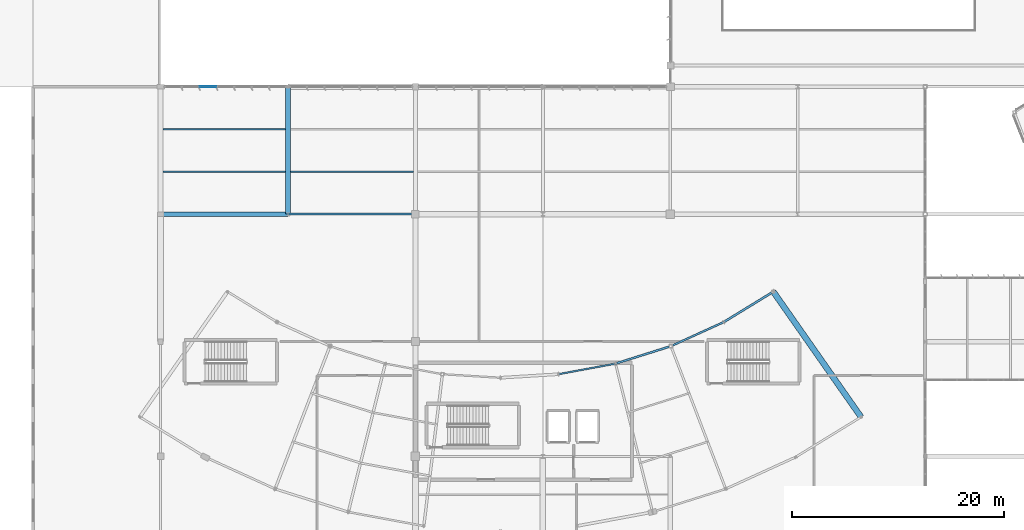
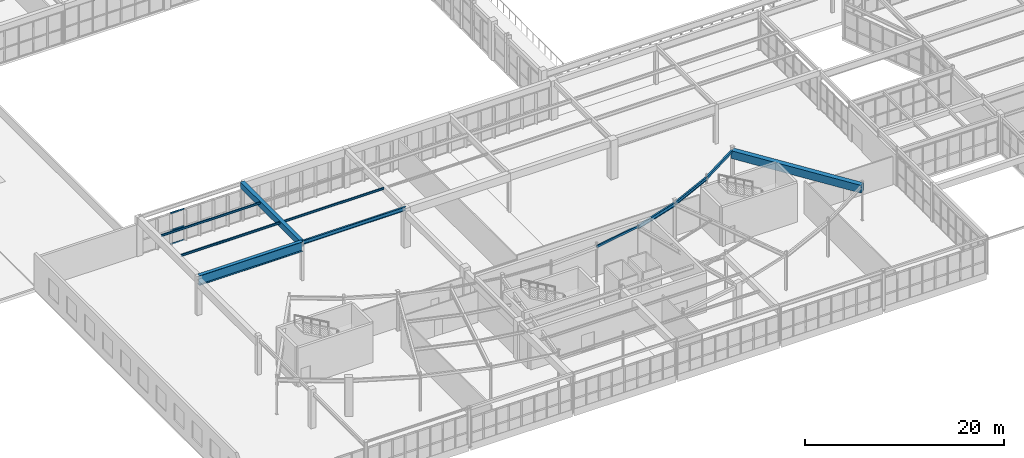
# One storey, part 64 of 186: 11 beams, 3 members, 1 element without a shape of its own.
"""IFC4 building model written with IfcOpenShell, lengths in metres."""

from ifc_helpers import new_model, si_unit, direction, frame, origin, origin_2d, place, context, subcontext, project, spatial, rectangle, hollow_rectangle, i_section, extrude, material, layer, layer_set, material_profile, profile_set, type_object, element, aggregate, save


model = new_model("IFC4")

# Units and contexts
model_context = context("Model", 3, precision=1e-05, world=origin(), true_north=direction((0.0, 1.0)))
body_context = subcontext(model_context, "Body", "Model", "MODEL_VIEW")
ifc_project = project(units=[si_unit("LENGTHUNIT", "METRE"), si_unit("AREAUNIT", "SQUARE_METRE"), si_unit("VOLUMEUNIT", "CUBIC_METRE"), si_unit("PLANEANGLEUNIT", "RADIAN"), si_unit("MASSUNIT", "GRAM", prefix="KILO")], contexts=[model_context])

# Site, building, storey
site_placement = place(None, origin())
site = spatial("IfcSite", under=ifc_project, at=site_placement, CompositionType="ELEMENT")
building_placement = place(site_placement, origin())
building = spatial("IfcBuilding", under=site, at=building_placement, Name="Tarnwether General Hospital", CompositionType="ELEMENT")
storey_placement = place(building_placement, frame((0.0, 0.0, 9.60009765625)))
storey = spatial("IfcBuildingStorey", under=building, at=storey_placement, Name="L02", CompositionType="ELEMENT", Elevation=9.60009765625)

# Beams
ifc_material_1 = material(Name="Steel Grade 350 (350 MPa)", Category="steel")
ifc_material_profile_1 = material_profile(ifc_material_1, i_section(OverallWidth=0.18994140625, OverallDepth=0.4541015625, WebThickness=0.008544921875, FlangeThickness=0.0126953125, at=origin_2d()), Name="460UB67.1")
ifc_profile_set_1 = profile_set([ifc_material_profile_1], Name="Steel Grade 350 (350 MPa)")
beam_type_1 = type_object("IfcBeamType", Name="BM-G10", PredefinedType="BEAM", material=ifc_profile_set_1)
beam_1_placement = place(storey_placement, frame((72.0, 33.60009765625, 4.572998046875), z_axis=(1.0, 0.0, 0.0), x_axis=(0.0, 1.0, 0.0)))
element("IfcBeam", 1, at=beam_1_placement, inside=storey, type_object=beam_type_1, Name="Primary Girder BMG-L02-7200_3360-8400_3360-1498", PredefinedType="BEAM", context=body_context, shape_type="SweptSolid", body=[
    extrude(i_section(OverallWidth=0.18994140625, OverallDepth=0.4541015625, WebThickness=0.008544921875, FlangeThickness=0.0126953125, at=origin_2d()), origin(), (0.0, 0.0, 1.0), 12.0),
])
ifc_material_2 = material(Name="Concrete 40 MPa", Category="concrete")
ifc_material_profile_2 = material_profile(ifc_material_2, rectangle(XDim=0.550048828125, YDim=0.949951171875, at=origin_2d()), Name="RC-BM-550x950")
ifc_profile_set_2 = profile_set([ifc_material_profile_2], Name="Concrete 40 MPa")
beam_type_2 = type_object("IfcBeamType", Name="BM-G11", PredefinedType="BEAM", material=ifc_profile_set_2)
beam_2_placement = place(storey_placement, frame((125.9560546875, 14.506103515625, 3.954833984375), z_axis=(-0.573596601347, 0.819137924237, 0.0), x_axis=(-0.819137924237, -0.573596601347, 0.0)))
element("IfcBeam", 2, at=beam_2_placement, inside=storey, type_object=beam_type_2, Name="Curved Ward SE Radial Girder BMG-L02-12596_1451-11770_2630-2073", PredefinedType="BEAM", context=body_context, shape_type="SweptSolid", body=[
    extrude(rectangle(XDim=0.550048828125, YDim=0.949951171875, at=origin_2d()), origin(), (0.0, 0.0, 1.0), 14.400390625),
])
ifc_material_3 = material(Name="Concrete 40 MPa", Category="concrete")
ifc_material_profile_3 = material_profile(ifc_material_3, rectangle(XDim=0.449951171875, YDim=0.75, at=origin_2d()), Name="RC-BM-450x750")
ifc_profile_set_3 = profile_set([ifc_material_profile_3], Name="Concrete 40 MPa")
beam_type_3 = type_object("IfcBeamType", Name="BM-G13", PredefinedType="BEAM", material=ifc_profile_set_3)
beam_3_placement = place(storey_placement, frame((72.0, 33.60009765625, 4.4248046875), z_axis=(0.0, 1.0, 0.0), x_axis=(-1.0, 0.0, 0.0)))
element("IfcBeam", 3, at=beam_3_placement, inside=storey, type_object=beam_type_3, Name="Primary Girder BMG-L02-7200_3360-7200_4560-1499", PredefinedType="BEAM", context=body_context, shape_type="SweptSolid", body=[
    extrude(rectangle(XDim=0.449951171875, YDim=0.75, at=origin_2d()), origin(), (0.0, 0.0, 1.0), 12.0),
])
ifc_material_4 = material(Name="Steel Grade 350 (350 MPa)", Category="steel")
ifc_material_profile_4 = material_profile(ifc_material_4, i_section(OverallWidth=0.14599609375, OverallDepth=0.251953125, WebThickness=0.006103515625, FlangeThickness=0.008544921875, at=origin_2d()), Name="250UB31.4")
ifc_profile_set_4 = profile_set([ifc_material_profile_4], Name="Steel Grade 350 (350 MPa)")
beam_type_4 = type_object("IfcBeamType", Name="BM-J10", PredefinedType="JOIST", material=ifc_profile_set_4)
beam_4_placement = place(storey_placement, frame((60.243896484375, 37.60009765625, 4.673828125), z_axis=(1.0, 0.0, 0.0), x_axis=(0.0, 1.0, 0.0)))
element("IfcBeam", 4, at=beam_4_placement, inside=storey, type_object=beam_type_4, Name="Composite Floor Joist BMG-L02-6024_3760-7178_3760-1678", PredefinedType="JOIST", context=body_context, shape_type="SweptSolid", body=[
    extrude(i_section(OverallWidth=0.14599609375, OverallDepth=0.251953125, WebThickness=0.006103515625, FlangeThickness=0.008544921875, at=origin_2d()), origin(), (0.0, 0.0, 1.0), 11.537109375),
])
ifc_material_5 = material(Name="Steel Grade 350 (350 MPa)", Category="steel")
ifc_material_profile_5 = material_profile(ifc_material_5, i_section(OverallWidth=0.1240234375, OverallDepth=0.248046875, WebThickness=0.0048828125, FlangeThickness=0.008056640625, at=origin_2d()), Name="250UB25.7")
ifc_profile_set_5 = profile_set([ifc_material_profile_5], Name="Steel Grade 350 (350 MPa)")
beam_type_5 = type_object("IfcBeamType", Name="BM-J11", PredefinedType="JOIST", material=ifc_profile_set_5)
beam_5_placement = place(storey_placement, frame((60.243896484375, 41.60009765625, 4.67578125), z_axis=(1.0, 0.0, 0.0), x_axis=(0.0, 1.0, 0.0)))
element("IfcBeam", 5, at=beam_5_placement, inside=storey, type_object=beam_type_5, Name="Composite Floor Joist BMG-L02-6024_4160-7178_4160-1679", PredefinedType="JOIST", context=body_context, shape_type="SweptSolid", body=[
    extrude(i_section(OverallWidth=0.1240234375, OverallDepth=0.248046875, WebThickness=0.0048828125, FlangeThickness=0.008056640625, at=origin_2d()), origin(), (0.0, 0.0, 1.0), 11.537109375),
])
beam_6_placement = place(storey_placement, frame((72.218994140625, 37.60009765625, 4.67578125), z_axis=(1.0, 0.0, 0.0), x_axis=(0.0, 1.0, 0.0)))
element("IfcBeam", 6, at=beam_6_placement, inside=storey, type_object=beam_type_5, Name="Composite Floor Joist BMG-L02-7222_3760-8381_3760-1682", PredefinedType="JOIST", context=body_context, shape_type="SweptSolid", body=[
    extrude(i_section(OverallWidth=0.1240234375, OverallDepth=0.248046875, WebThickness=0.0048828125, FlangeThickness=0.008056640625, at=origin_2d()), origin(), (0.0, 0.0, 1.0), 11.5869140625),
])
ifc_material_6 = material(Name="Steel Grade 350 (350 MPa)", Category="steel")
ifc_material_profile_6 = material_profile(ifc_material_6, i_section(OverallWidth=0.18994140625, OverallDepth=0.4541015625, WebThickness=0.008544921875, FlangeThickness=0.0126953125, at=origin_2d()), Name="460UB67.1")
ifc_profile_set_6 = profile_set([ifc_material_profile_6], Name="Steel Grade 350 (350 MPa)")
beam_type_6 = type_object("IfcBeamType", Name="BM-SP1", PredefinedType="SPANDREL", material=ifc_profile_set_6)
beam_7_placement = place(storey_placement, frame((102.837890625, 19.531005859375, 4.202880859375), z_axis=(0.953712084488, 0.300721232874, 0.0), x_axis=(-0.300721232874, 0.953712084488, 0.0)))
element("IfcBeam", 7, at=beam_7_placement, inside=storey, type_object=beam_type_6, Name="Curved Ward SE Inner Spandrel BMG-L02-10284_1953-10806_2118-2091", PredefinedType="SPANDREL", context=body_context, shape_type="SweptSolid", body=[
    extrude(i_section(OverallWidth=0.18994140625, OverallDepth=0.4541015625, WebThickness=0.008544921875, FlangeThickness=0.0126953125, at=origin_2d()), origin(), (0.0, 0.0, 1.0), 5.47021484375),
])
ifc_material_7 = material(Name="Steel Grade 350 (350 MPa)", Category="steel")
ifc_material_profile_7 = material_profile(ifc_material_7, i_section(OverallWidth=0.177978515625, OverallDepth=0.403076171875, WebThickness=0.007568359375, FlangeThickness=0.010986328125, at=origin_2d()), Name="410UB53.7")
ifc_profile_set_7 = profile_set([ifc_material_profile_7], Name="Steel Grade 350 (350 MPa)")
beam_type_7 = type_object("IfcBeamType", Name="BM-SP2", PredefinedType="SPANDREL", material=ifc_profile_set_7)
beam_8_placement = place(storey_placement, frame((108.054931640625, 21.176025390625, 4.228515625), z_axis=(0.909968605358, 0.414677148228, 0.0), x_axis=(-0.414677148228, 0.909968605358, 0.0)))
element("IfcBeam", 8, at=beam_8_placement, inside=storey, type_object=beam_type_7, Name="Curved Ward SE Inner Spandrel BMG-L02-10806_2118-11303_2344-2095", PredefinedType="SPANDREL", context=body_context, shape_type="SweptSolid", body=[
    extrude(i_section(OverallWidth=0.177978515625, OverallDepth=0.403076171875, WebThickness=0.007568359375, FlangeThickness=0.010986328125, at=origin_2d()), origin(), (0.0, 0.0, 1.0), 5.469482421875),
])
ifc_material_8 = material(Name="Steel Grade C350L0 (350 MPa)", Category="steel")
ifc_material_profile_8 = material_profile(ifc_material_8, hollow_rectangle(XDim=0.199951171875, YDim=0.300048828125, WallThickness=0.012451171875, at=origin_2d()), Name="RHS300x200x12.5")
ifc_profile_set_8 = profile_set([ifc_material_profile_8], Name="Steel Grade C350L0 (350 MPa)")
beam_type_8 = type_object("IfcBeamType", Name="BM-SP3", PredefinedType="SPANDREL", material=ifc_profile_set_8)
beam_9_placement = place(storey_placement, frame((113.031982421875, 23.444091796875, 4.27978515625), z_axis=(0.85265897909, 0.522467860617, 0.0), x_axis=(-0.522467860617, 0.85265897909, 0.0)))
element("IfcBeam", 9, at=beam_9_placement, inside=storey, type_object=beam_type_8, Name="Curved Ward SE Inner Spandrel BMG-L02-11303_2344-11770_2630-2097", PredefinedType="SPANDREL", context=body_context, shape_type="SweptSolid", body=[
    extrude(hollow_rectangle(XDim=0.199951171875, YDim=0.300048828125, WallThickness=0.012451171875, at=origin_2d()), origin(), (0.0, 0.0, 1.0), 5.469970703125),
])
ifc_material_9 = material(Name="Steel Grade C350L0 (350 MPa)", Category="steel")
ifc_material_profile_9 = material_profile(ifc_material_9, hollow_rectangle(XDim=0.14990234375, YDim=0.25, WallThickness=0.008056640625, at=origin_2d()), Name="RHS250x150x8")
ifc_profile_set_9 = profile_set([ifc_material_profile_9], Name="Steel Grade C350L0 (350 MPa)")
beam_type_9 = type_object("IfcBeamType", Name="BM-SP8", PredefinedType="SPANDREL", material=ifc_profile_set_9)
beam_10_placement = place(storey_placement, frame((97.4599609375, 18.533935546875, 4.304931640625), z_axis=(0.983244096291, 0.18229384825, 0.0), x_axis=(-0.18229384825, 0.983244096291, 0.0)))
element("IfcBeam", 10, at=beam_10_placement, inside=storey, type_object=beam_type_9, Name="Curved Ward SE Inner Spandrel BMG-L02-9746_1853-10284_1953-2089", PredefinedType="SPANDREL", context=body_context, shape_type="SweptSolid", body=[
    extrude(hollow_rectangle(XDim=0.14990234375, YDim=0.25, WallThickness=0.008056640625, at=origin_2d()), origin(), (0.0, 0.0, 1.0), 5.469482421875),
])
ifc_material_10 = material(Name="Steel Grade 350 (350 MPa)", Category="steel")
ifc_material_profile_10 = material_profile(ifc_material_10, i_section(OverallWidth=0.39990234375, OverallDepth=1.199951171875, WebThickness=0.01611328125, FlangeThickness=0.031982421875, at=origin_2d()), Name="1200WB342")
ifc_profile_set_10 = profile_set([ifc_material_profile_10], Name="Steel Grade 350 (350 MPa)")
beam_type_10 = type_object("IfcBeamType", Name="BM-TG2", PredefinedType="BEAM", material=ifc_profile_set_10)
beam_11_placement = place(storey_placement, frame((60.0, 33.60009765625, 4.199951171875), z_axis=(1.0, 0.0, 0.0), x_axis=(0.0, 1.0, 0.0)))
element("IfcBeam", 11, at=beam_11_placement, inside=storey, type_object=beam_type_10, Name="Transfer Girder TG-02 South West BMG-L02-6000_3360-7200_3360-0007", PredefinedType="BEAM", context=body_context, shape_type="SweptSolid", body=[
    extrude(i_section(OverallWidth=0.39990234375, OverallDepth=1.199951171875, WebThickness=0.01611328125, FlangeThickness=0.031982421875, at=origin_2d()), origin(), (0.0, 0.0, 1.0), 12.0),
])

# Curtain wall, members
ifc_material_11 = material(Name="Anodised aluminium", Category="aluminium")
ifc_layer = layer(ifc_material_11, 0.159912109375)
ifc_layer_set = layer_set([ifc_layer], Name="Anodised aluminium")
curtain_wall_type = type_object("IfcCurtainWallType", Name="CW-24", PredefinedType="NOTDEFINED", material=ifc_layer_set)
curtain_wall_placement = place(storey_placement, origin())
curtain_wall = element("IfcCurtainWall", 12, at=curtain_wall_placement, inside=storey, type_object=curtain_wall_type, Name="Curtain Wall CWG-L02-719_456-0433", PredefinedType="NOTDEFINED")
ifc_material_12 = material(Name="Anodised aluminium", Category="aluminium")
ifc_material_profile_11 = material_profile(ifc_material_12, rectangle(XDim=0.06005859375, YDim=0.1201171875, at=origin_2d()), Name="ALU-TRN-60x120")
ifc_profile_set_11 = profile_set([ifc_material_profile_11], Name="Anodised aluminium")
member_type = type_object("IfcMemberType", Name="CW-TR1", PredefinedType="USERDEFINED", material=ifc_profile_set_11)
member_1_placement = place(storey_placement, frame((65.259033203125, 45.60009765625, 0.02978515625), z_axis=(-1.0, 0.0, 0.0), x_axis=(0.0, -1.0, 0.0)))
member_1 = element("IfcMember", 13, at=member_1_placement, type_object=member_type, Name="CW-24 transom 5.1", ObjectType="TRANSOM", PredefinedType="USERDEFINED", context=body_context, shape_type="SweptSolid", body=[
    extrude(rectangle(XDim=0.06005859375, YDim=0.1201171875, at=origin_2d()), origin(), (0.0, 0.0, 1.0), 1.58349609375),
])
member_2_placement = place(storey_placement, frame((65.259033203125, 45.60009765625, 1.7255859375), z_axis=(-1.0, 0.0, 0.0), x_axis=(0.0, -1.0, 0.0)))
member_2 = element("IfcMember", 14, at=member_2_placement, type_object=member_type, Name="CW-24 transom 5.2", ObjectType="TRANSOM", PredefinedType="USERDEFINED", context=body_context, shape_type="SweptSolid", body=[
    extrude(rectangle(XDim=0.06005859375, YDim=0.1201171875, at=origin_2d()), origin(), (0.0, 0.0, 1.0), 1.58349609375),
])
member_3_placement = place(storey_placement, frame((65.259033203125, 45.60009765625, 3.804931640625), z_axis=(-1.0, 0.0, 0.0), x_axis=(0.0, -1.0, 0.0)))
member_3 = element("IfcMember", 15, at=member_3_placement, type_object=member_type, Name="CW-24 transom 5.3", ObjectType="TRANSOM", PredefinedType="USERDEFINED", context=body_context, shape_type="SweptSolid", body=[
    extrude(rectangle(XDim=0.06005859375, YDim=0.1201171875, at=origin_2d()), origin(), (0.0, 0.0, 1.0), 1.58349609375),
])
aggregate(curtain_wall, [member_1, member_2, member_3])

save(model, "model.ifc")
